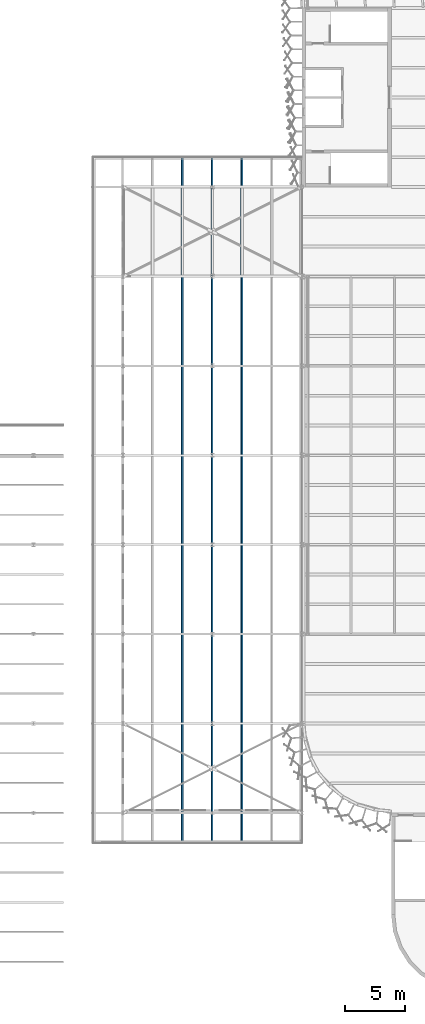
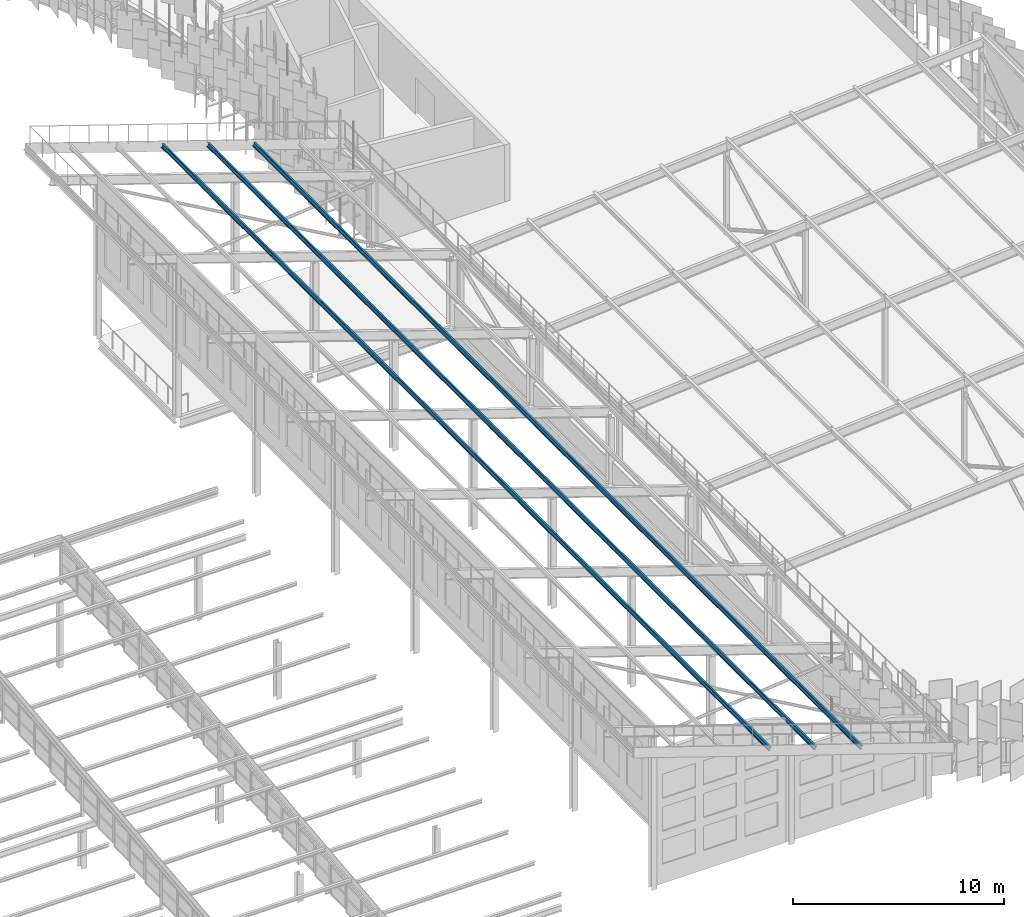
# One storey, part 68 of 483: 3 members.
"""IFC4 building model written with IfcOpenShell, lengths in metres."""

from ifc_helpers import new_model, si_unit, direction, frame, origin, origin_2d, place, context, subcontext, project, spatial, i_section, extrude, material, material_profile, profile_set, type_object, element, save


model = new_model("IFC4")

# Units and contexts
model_context = context("Model", 3, precision=1e-05, world=origin(), true_north=direction((0.0, 1.0)))
body_context = subcontext(model_context, "Body", "Model", "MODEL_VIEW")
ifc_project = project(units=[si_unit("LENGTHUNIT", "METRE"), si_unit("AREAUNIT", "SQUARE_METRE"), si_unit("VOLUMEUNIT", "CUBIC_METRE"), si_unit("PLANEANGLEUNIT", "RADIAN"), si_unit("MASSUNIT", "GRAM", prefix="KILO")], contexts=[model_context])

# Site, building, storey
site_placement = place(None, origin())
site = spatial("IfcSite", under=ifc_project, at=site_placement, CompositionType="ELEMENT")
building_placement = place(site_placement, origin())
building = spatial("IfcBuilding", under=site, at=building_placement, Name="Parallax Yard Mobility Hub", CompositionType="ELEMENT")
storey_placement = place(building_placement, frame((0.0, 0.0, 13.199951171875)))
storey = spatial("IfcBuildingStorey", under=building, at=storey_placement, Name="L04", CompositionType="ELEMENT", Elevation=13.199951171875)

# Members
ifc_material = material(Name="Steel ASTM A992", Category="steel")
ifc_material_profile = material_profile(ifc_material, i_section(OverallWidth=0.133056640625, OverallDepth=0.20703125, WebThickness=0.005859375, FlangeThickness=0.00830078125, at=origin_2d()), Name="W200x27")
ifc_profile_set = profile_set([ifc_material_profile], Name="Steel ASTM A992")
member_type = type_object("IfcMemberType", Name="Roof purlin W200x27", PredefinedType="PURLIN", material=ifc_profile_set)
for number, where, z_axis, x_axis, name in (
    (1, (184.96728515625, 20.0, 7.81103515625), (0.0, 1.0, 0.0), (-0.948683567514, 0.0, 0.316226957624), "Roof purlin at x 185"),
    (2, (187.46728515625, 20.0, 6.9775390625), (0.0, 1.0, 0.0), (-0.948683567514, 0.0, 0.316226957624), "Roof purlin at x 187.5"),
    (3, (189.96728515625, 20.0, 6.144287109375), (0.0, 1.0, 0.0), (-0.948683567514, 0.0, 0.316226957624), "Roof purlin at x 190"),
):
    element("IfcMember", number, at=place(storey_placement, frame(where, z_axis=z_axis, x_axis=x_axis)), inside=storey, type_object=member_type, Name=name, PredefinedType="PURLIN", context=body_context, shape_type="SweptSolid", body=[
        extrude(i_section(OverallWidth=0.133056640625, OverallDepth=0.20703125, WebThickness=0.005859375, FlangeThickness=0.00830078125, at=origin_2d()), origin(), (0.0, 0.0, 1.0), 57.5),
    ])

save(model, "model.ifc")
